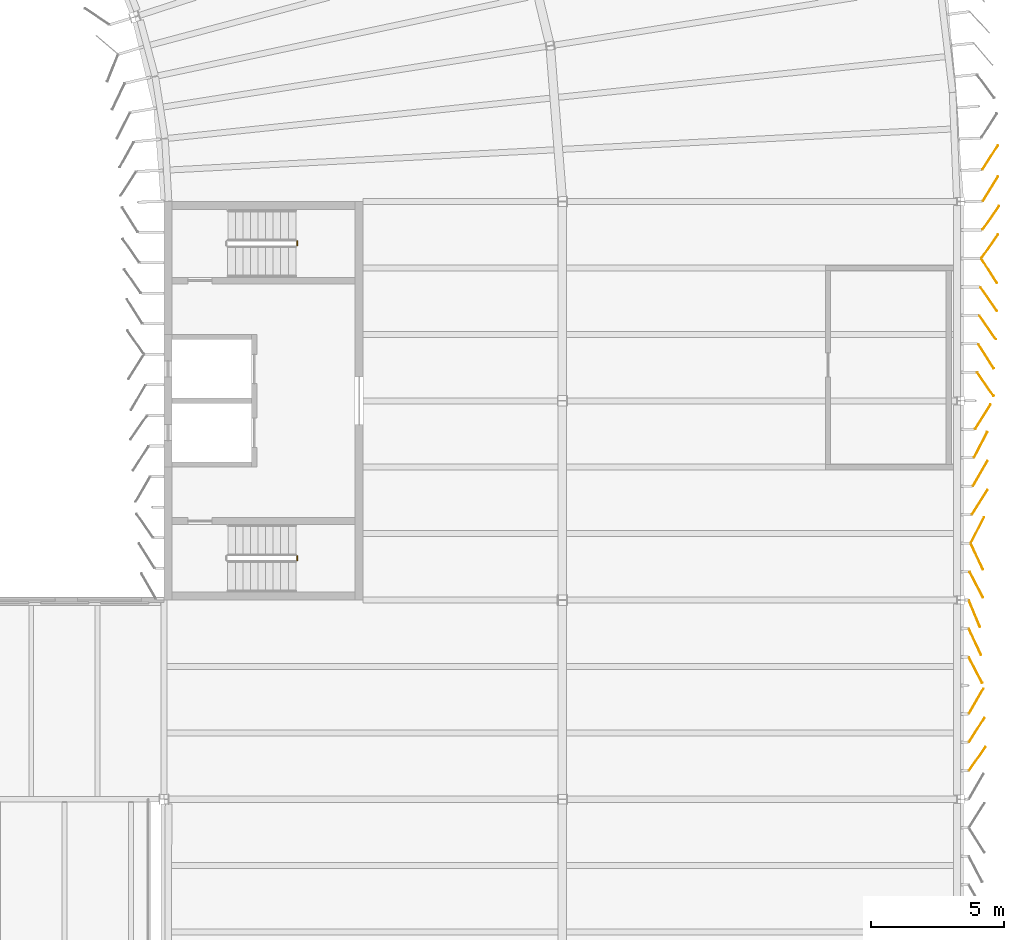
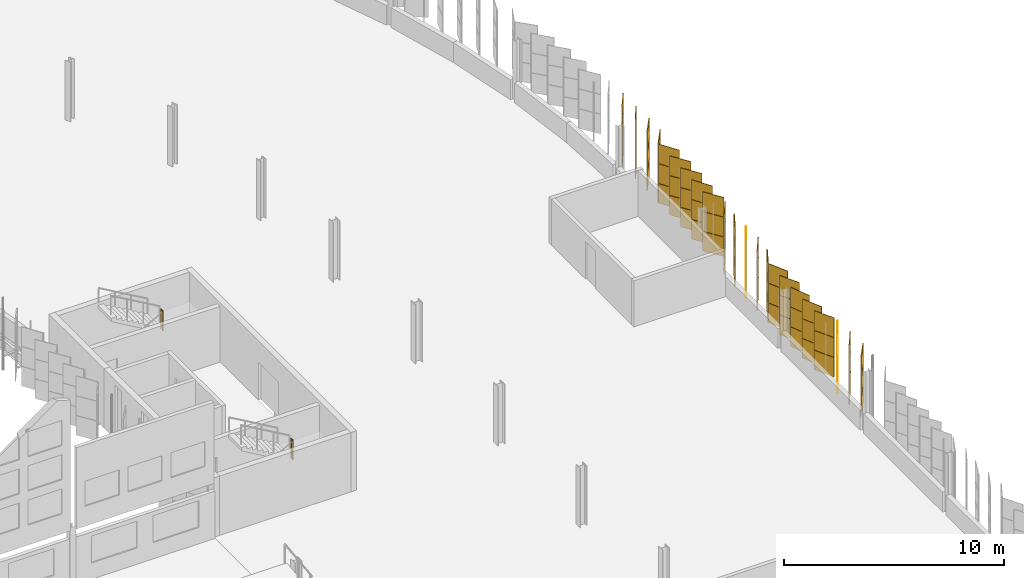
# One storey, part 194 of 199: 66 coverings, 2 railings.
"""IFC4 building model written with IfcOpenShell, lengths in metres."""

import ifcopenshell
import ifcopenshell.guid

model = None  # the IFC model being written
_history = None  # IfcOwnerHistory: only IFC2X3 demands one
_inside = {}  # id of a spatial element -> (the spatial element, [elements in it])
_under = {}  # id of a project, library or spatial element -> (it, [spatial elements below it])
_declared = {}  # id of a project -> (the project, [libraries it declares])
_typed = {}  # id of a type object -> (the type object, [elements of that type])
_made_of = {}  # id of a material, layer set ... -> (it, [elements and type objects made of it])


def new_model(schema):
    """Start an empty IFC model of exactly this schema.

    Asked for "IFC4X3", IfcOpenShell would pick the latest addendum, in which some entities
    have other attributes; the version numbers below select the first issue.
    IFC2X3 requires an IfcOwnerHistory on every rooted entity: one is made here for all.
    """
    global model, _history
    if schema == "IFC4X3":
        model = ifcopenshell.file(schema_version=(4, 3, 0, 0))
    else:
        model = ifcopenshell.file(schema=schema)
    _inside.clear()
    _under.clear()
    _declared.clear()
    _typed.clear()
    _made_of.clear()
    _history = None
    if model.schema == "IFC2X3":
        org = make("IfcOrganization", Name="unknown")
        user = make(
            "IfcPersonAndOrganization",
            ThePerson=make("IfcPerson", FamilyName="unknown"),
            TheOrganization=org,
        )
        app = make(
            "IfcApplication",
            ApplicationDeveloper=org,
            Version="unknown",
            ApplicationFullName="unknown",
            ApplicationIdentifier="unknown",
        )
        _history = make(
            "IfcOwnerHistory",
            OwningUser=user,
            OwningApplication=app,
            ChangeAction="ADDED",
            CreationDate=0,
        )
    return model


def make(cls, **values):
    """One entity of the class cls with the attributes given. An attribute that is None is left unset."""
    return model.create_entity(
        cls, **{name: value for name, value in values.items() if value is not None}
    )


def rooted(cls, **values):
    """An entity with a GlobalId (a new one), such as an element, a storey or a relation."""
    return make(cls, GlobalId=ifcopenshell.guid.new(), OwnerHistory=_history, **values)


def si_unit(unit_type, name, prefix=None):
    """IfcSIUnit, for example si_unit("LENGTHUNIT", "METRE", prefix="MILLI")."""
    return make("IfcSIUnit", UnitType=unit_type, Prefix=prefix, Name=name)


def assignment(units):
    """IfcUnitAssignment: the units of a project."""
    return None if units is None else make("IfcUnitAssignment", Units=units)


def point(xyz):
    """IfcCartesianPoint."""
    return None if xyz is None else make("IfcCartesianPoint", Coordinates=xyz)


def direction(xyz):
    """IfcDirection."""
    return None if xyz is None else make("IfcDirection", DirectionRatios=xyz)


def frame(location, z_axis=None, x_axis=None):
    """IfcAxis2Placement3D, a coordinate frame: its origin and axes. An axis left out is left unset."""
    return make(
        "IfcAxis2Placement3D",
        Location=point(location),
        Axis=direction(z_axis),
        RefDirection=direction(x_axis),
    )


def frame_2d(location, x_axis=None):
    """IfcAxis2Placement2D, a coordinate frame in the plane: its origin and x axis."""
    return make(
        "IfcAxis2Placement2D", Location=point(location), RefDirection=direction(x_axis)
    )


def origin():
    """The frame at (0, 0, 0) with its axes left unset."""
    return frame((0.0, 0.0, 0.0))


def origin_2d():
    """The frame at (0, 0) in the plane with its x axis left unset."""
    return frame_2d((0.0, 0.0))


def place(relative_to, where):
    """IfcLocalPlacement: puts the frame where relative to a parent placement (None: the world)."""
    return make(
        "IfcLocalPlacement", PlacementRelTo=relative_to, RelativePlacement=where
    )


def context(
    kind, dimensions, precision=None, world=None, true_north=None, identifier=None
):
    """IfcGeometricRepresentationContext, for example the 3D "Model" context."""
    return make(
        "IfcGeometricRepresentationContext",
        ContextIdentifier=identifier,
        ContextType=kind,
        CoordinateSpaceDimension=dimensions,
        Precision=precision,
        WorldCoordinateSystem=world,
        TrueNorth=true_north,
    )


def subcontext(parent, identifier, kind, view, scale=None):
    """IfcGeometricRepresentationSubContext, for example "Body" below "Model"."""
    return make(
        "IfcGeometricRepresentationSubContext",
        ContextIdentifier=identifier,
        ContextType=kind,
        ParentContext=parent,
        TargetScale=scale,
        TargetView=view,
    )


def project(units=None, contexts=None):
    """IfcProject with its units and contexts."""
    return rooted(
        "IfcProject",
        Name="project",
        RepresentationContexts=contexts,
        UnitsInContext=assignment(units),
    )


def spatial(cls, under=None, at=None, **own):
    """A site, building, storey or space (cls), placed at a placement, below another one or the project."""
    s = rooted(cls, ObjectPlacement=at, **own)
    if under is not None:
        _under.setdefault(under.id(), (under, []))[1].append(s)
    return s


def profile(cls, at=None, kind="AREA", **sizes):
    """A parametric profile (cls). Its sizes go by their IFC names, for example OverallWidth=200.0."""
    return make(cls, ProfileType=kind, Position=at, **sizes)


def rectangle(**sizes):
    """IfcRectangleProfileDef."""
    return profile("IfcRectangleProfileDef", **sizes)


def circle(**sizes):
    """IfcCircleProfileDef."""
    return profile("IfcCircleProfileDef", **sizes)


def extrude(swept, where, along, depth):
    """IfcExtrudedAreaSolid: the profile swept, set in the frame where, extruded along a direction by depth."""
    return make(
        "IfcExtrudedAreaSolid",
        SweptArea=swept,
        Position=where,
        ExtrudedDirection=direction(along),
        Depth=depth,
    )


def shape(context_of_items, identifier, shape_type, items):
    """IfcShapeRepresentation: the items that make up one representation, for example the "Body"."""
    return make(
        "IfcShapeRepresentation",
        ContextOfItems=context_of_items,
        RepresentationIdentifier=identifier,
        RepresentationType=shape_type,
        Items=items,
    )


def material(Name=None, Category=None):
    """IfcMaterial."""
    return make("IfcMaterial", Name=Name, Category=Category)


def layer(
    of_material, thickness, ventilated=None, Name=None, Category=None, Priority=None
):
    """IfcMaterialLayer: one layer of a wall or slab, of a material (None: an air gap)."""
    return make(
        "IfcMaterialLayer",
        Material=of_material,
        LayerThickness=thickness,
        IsVentilated=ventilated,
        Name=Name,
        Category=Category,
        Priority=Priority,
    )


def layer_set(layers, Name=None):
    """IfcMaterialLayerSet."""
    return make("IfcMaterialLayerSet", MaterialLayers=layers, LayerSetName=Name)


def made_of(thing, what):
    """Note that an element or type object is made of a material, layer set ...; save() writes the relation."""
    if what is not None:
        _made_of.setdefault(what.id(), (what, []))[1].append(thing)
    return thing


def type_object(cls, material=None, **own):
    """A type object (cls), such as IfcWallType, which elements share."""
    return made_of(rooted(cls, **own), material)


def element(
    cls,
    number,
    at=None,
    inside=None,
    cuts=None,
    type_object=None,
    material=None,
    context=None,
    identifier="Body",
    shape_type=None,
    held_by="IfcProductDefinitionShape",
    body=None,
    shapes=None,
    **own,
):
    """One element of the class cls, such as IfcWall. Its Tag is "e" and its number.

    at: its placement. inside: the storey or other place that contains it. cuts: it is an
    opening in that element (IfcRelVoidsElement). A single representation is given by context,
    identifier, shape_type and body (its items); several are given by shapes. held_by: the class
    of the entity that holds the representations. save() writes the other relations.
    """
    e = rooted(cls, Tag="e%d" % number, ObjectPlacement=at, **own)
    if body is not None:
        shapes = [shape(context, identifier, shape_type, body)]
    if shapes is not None:
        e.Representation = make(held_by, Representations=shapes)
    if inside is not None:
        _inside.setdefault(inside.id(), (inside, []))[1].append(e)
    if cuts is not None:
        rooted(
            "IfcRelVoidsElement", RelatingBuildingElement=cuts, RelatedOpeningElement=e
        )
    if type_object is not None:
        _typed.setdefault(type_object.id(), (type_object, []))[1].append(e)
    return made_of(e, material)


def aggregate(whole, parts):
    """IfcRelAggregates: a whole, such as a stair, and the parts it consists of."""
    return rooted("IfcRelAggregates", RelatingObject=whole, RelatedObjects=parts)


def save(model, path):
    """Write the relations noted so far, then the file.

    IfcRelAggregates (storeys below a building ...), IfcRelContainedInSpatialStructure (elements
    in a storey), IfcRelDefinesByType, IfcRelAssociatesMaterial and IfcRelDeclares: one each for
    every whole, place, type object, material and project.
    """
    for whole, parts in _under.values():
        aggregate(whole, parts)
    for where, things in _inside.values():
        rooted(
            "IfcRelContainedInSpatialStructure",
            RelatedElements=things,
            RelatingStructure=where,
        )
    for kind, things in _typed.values():
        rooted("IfcRelDefinesByType", RelatedObjects=things, RelatingType=kind)
    for what, things in _made_of.values():
        rooted("IfcRelAssociatesMaterial", RelatedObjects=things, RelatingMaterial=what)
    for by, libraries in _declared.values():
        rooted("IfcRelDeclares", RelatingContext=by, RelatedDefinitions=libraries)
    model.write(path)


model = new_model("IFC4")

# Units and contexts
model_context = context("Model", 3, precision=1e-05, world=origin(), true_north=direction((0.0, 1.0)))
body_context = subcontext(model_context, "Body", "Model", "MODEL_VIEW")
ifc_project = project(units=[si_unit("LENGTHUNIT", "METRE"), si_unit("AREAUNIT", "SQUARE_METRE"), si_unit("VOLUMEUNIT", "CUBIC_METRE"), si_unit("PLANEANGLEUNIT", "RADIAN"), si_unit("MASSUNIT", "GRAM", prefix="KILO")], contexts=[model_context])

# Site, building, storey
site_placement = place(None, origin())
site = spatial("IfcSite", under=ifc_project, at=site_placement, CompositionType="ELEMENT")
building_placement = place(site_placement, origin())
building = spatial("IfcBuilding", under=site, at=building_placement, Name="Parallax Yard Mobility Hub", CompositionType="ELEMENT")
storey_placement = place(building_placement, frame((0.0, 0.0, 9.89990234375)))
storey = spatial("IfcBuildingStorey", under=building, at=storey_placement, Name="L03", CompositionType="ELEMENT", Elevation=9.89990234375)

# Coverings
ifc_material_1 = material(Name="Aluminium panel, champagne finish", Category="aluminium")
ifc_layer_1 = layer(ifc_material_1, 0.030029296875)
ifc_layer_set_1 = layer_set([ifc_layer_1], Name="Skin panel 22.5 degree turn, champagne finish")
covering_type_1 = type_object("IfcCoveringType", Name="Skin panel 22.5 degree turn, champagne finish", PredefinedType="CLADDING", material=ifc_layer_set_1)
covering_placement = place(storey_placement, frame((225.512939453125, 74.484130859375, 0.02001953125), z_axis=(0.0, 0.0, 1.0), x_axis=(0.382683432365, -0.923879532511, 0.0)))
element("IfcCovering", 1, at=covering_placement, inside=storey, type_object=covering_type_1, Name="Skin panel 22.5 bay 38.7 row 1 level L03", ObjectType="SCREEN", PredefinedType="CLADDING", context=body_context, shape_type="SweptSolid", body=[
    extrude(rectangle(XDim=1.080078125, YDim=0.030029296875, at=origin_2d()), origin(), (0.0, 0.0, 1.0), 1.080078125),
])
ifc_material_2 = material(Name="Aluminium panel, silver anodised", Category="aluminium")
ifc_layer_2 = layer(ifc_material_2, 0.030029296875)
ifc_layer_set_2 = layer_set([ifc_layer_2], Name="Skin panel 22.5 degree turn, silver anodised")
covering_type_2 = type_object("IfcCoveringType", Name="Skin panel 22.5 degree turn, silver anodised", PredefinedType="CLADDING", material=ifc_layer_set_2)
for number, where, z_axis, x_axis, name in (
    (2, (225.512939453125, 74.484130859375, 1.1201171875), (0.0, 0.0, 1.0), (0.382683432365, -0.923879532511, 0.0), "Skin panel 22.5 bay 38.7 row 2 level L03"),
    (3, (225.512939453125, 74.484130859375, 2.219970703125), (0.0, 0.0, 1.0), (0.382683432365, -0.923879532511, 0.0), "Skin panel 22.5 bay 38.7 row 3 level L03"),
):
    element("IfcCovering", number, at=place(storey_placement, frame(where, z_axis=z_axis, x_axis=x_axis)), inside=storey, type_object=covering_type_2, Name=name, ObjectType="SCREEN", PredefinedType="CLADDING", context=body_context, shape_type="SweptSolid", body=[
        extrude(rectangle(XDim=1.080078125, YDim=0.030029296875, at=origin_2d()), origin(), (0.0, 0.0, 1.0), 1.080078125),
    ])
ifc_layer_3 = layer(ifc_material_1, 0.030029296875)
ifc_layer_set_3 = layer_set([ifc_layer_3], Name="Skin panel 25 degree turn, champagne finish")
covering_type_3 = type_object("IfcCoveringType", Name="Skin panel 25 degree turn, champagne finish", PredefinedType="CLADDING", material=ifc_layer_set_3)
for number, where, z_axis, x_axis, name in (
    (4, (225.53515625, 73.422119140625, 0.02001953125), (0.0, 0.0, 1.0), (0.422618261741, -0.906307787037, 0.0), "Skin panel 25 bay 38.6 row 1 level L03"),
    (5, (225.60595703125, 76.637451171875, 0.02001953125), (0.0, 0.0, 1.0), (0.422618261741, -0.906307787037, 0.0), "Skin panel 25 bay 39.2 row 1 level L03"),
):
    element("IfcCovering", number, at=place(storey_placement, frame(where, z_axis=z_axis, x_axis=x_axis)), inside=storey, type_object=covering_type_3, Name=name, ObjectType="SCREEN", PredefinedType="CLADDING", context=body_context, shape_type="SweptSolid", body=[
        extrude(rectangle(XDim=1.080078125, YDim=0.030029296875, at=origin_2d()), origin(), (0.0, 0.0, 1.0), 1.080078125),
    ])
ifc_layer_4 = layer(ifc_material_2, 0.030029296875)
ifc_layer_set_4 = layer_set([ifc_layer_4], Name="Skin panel 25 degree turn, silver anodised")
covering_type_4 = type_object("IfcCoveringType", Name="Skin panel 25 degree turn, silver anodised", PredefinedType="CLADDING", material=ifc_layer_set_4)
for number, where, z_axis, x_axis, name in (
    (6, (225.53515625, 73.422119140625, 1.1201171875), (0.0, 0.0, 1.0), (0.422618261741, -0.906307787037, 0.0), "Skin panel 25 bay 38.6 row 2 level L03"),
    (7, (225.53515625, 73.422119140625, 2.219970703125), (0.0, 0.0, 1.0), (0.422618261741, -0.906307787037, 0.0), "Skin panel 25 bay 38.6 row 3 level L03"),
    (8, (225.60595703125, 76.637451171875, 1.1201171875), (0.0, 0.0, 1.0), (0.422618261741, -0.906307787037, 0.0), "Skin panel 25 bay 39.2 row 2 level L03"),
    (9, (225.60595703125, 76.637451171875, 2.219970703125), (0.0, 0.0, 1.0), (0.422618261741, -0.906307787037, 0.0), "Skin panel 25 bay 39.2 row 3 level L03"),
):
    element("IfcCovering", number, at=place(storey_placement, frame(where, z_axis=z_axis, x_axis=x_axis)), inside=storey, type_object=covering_type_4, Name=name, ObjectType="SCREEN", PredefinedType="CLADDING", context=body_context, shape_type="SweptSolid", body=[
        extrude(rectangle(XDim=1.080078125, YDim=0.030029296875, at=origin_2d()), origin(), (0.0, 0.0, 1.0), 1.080078125),
    ])
ifc_layer_5 = layer(ifc_material_1, 0.030029296875)
ifc_layer_set_5 = layer_set([ifc_layer_5], Name="Skin panel 27.5 degree turn, champagne finish")
covering_type_5 = type_object("IfcCoveringType", Name="Skin panel 27.5 degree turn, champagne finish", PredefinedType="CLADDING", material=ifc_layer_set_5)
for number, where, z_axis, x_axis, name in (
    (10, (225.556884765625, 72.361328125, 0.02001953125), (0.0, 0.0, 1.0), (0.461748613235, -0.887010833178, 0.0), "Skin panel 27.5 bay 38.5 row 1 level L03"),
    (11, (225.587646484375, 75.576416015625, 0.02001953125), (0.0, 0.0, 1.0), (0.461748613235, -0.887010833178, 0.0), "Skin panel 27.5 bay 39.1 row 1 level L03"),
    (12, (225.627685546875, 77.635009765625, 0.02001953125), (0.0, 0.0, 1.0), (0.461748613235, 0.887010833178, 0.0), "Skin panel 27.5 bay 39.3 row 1 level L03"),
    (13, (225.748046875, 80.850341796875, 0.02001953125), (0.0, 0.0, 1.0), (0.461748613235, 0.887010833178, 0.0), "Skin panel 27.5 bay 39.6 row 1 level L03"),
):
    element("IfcCovering", number, at=place(storey_placement, frame(where, z_axis=z_axis, x_axis=x_axis)), inside=storey, type_object=covering_type_5, Name=name, ObjectType="SCREEN", PredefinedType="CLADDING", context=body_context, shape_type="SweptSolid", body=[
        extrude(rectangle(XDim=1.080078125, YDim=0.030029296875, at=origin_2d()), origin(), (0.0, 0.0, 1.0), 1.080078125),
    ])
ifc_layer_6 = layer(ifc_material_2, 0.030029296875)
ifc_layer_set_6 = layer_set([ifc_layer_6], Name="Skin panel 27.5 degree turn, silver anodised")
covering_type_6 = type_object("IfcCoveringType", Name="Skin panel 27.5 degree turn, silver anodised", PredefinedType="CLADDING", material=ifc_layer_set_6)
for number, where, z_axis, x_axis, name in (
    (14, (225.556884765625, 72.361328125, 1.1201171875), (0.0, 0.0, 1.0), (0.461748613235, -0.887010833178, 0.0), "Skin panel 27.5 bay 38.5 row 2 level L03"),
    (15, (225.556884765625, 72.361328125, 2.219970703125), (0.0, 0.0, 1.0), (0.461748613235, -0.887010833178, 0.0), "Skin panel 27.5 bay 38.5 row 3 level L03"),
    (16, (225.587646484375, 75.576416015625, 1.1201171875), (0.0, 0.0, 1.0), (0.461748613235, -0.887010833178, 0.0), "Skin panel 27.5 bay 39.1 row 2 level L03"),
    (17, (225.587646484375, 75.576416015625, 2.219970703125), (0.0, 0.0, 1.0), (0.461748613235, -0.887010833178, 0.0), "Skin panel 27.5 bay 39.1 row 3 level L03"),
    (18, (225.627685546875, 77.635009765625, 1.1201171875), (0.0, 0.0, 1.0), (0.461748613235, 0.887010833178, 0.0), "Skin panel 27.5 bay 39.3 row 2 level L03"),
    (19, (225.627685546875, 77.635009765625, 2.219970703125), (0.0, 0.0, 1.0), (0.461748613235, 0.887010833178, 0.0), "Skin panel 27.5 bay 39.3 row 3 level L03"),
    (20, (225.748046875, 80.850341796875, 1.1201171875), (0.0, 0.0, 1.0), (0.461748613235, 0.887010833178, 0.0), "Skin panel 27.5 bay 39.6 row 2 level L03"),
    (21, (225.748046875, 80.850341796875, 2.219970703125), (0.0, 0.0, 1.0), (0.461748613235, 0.887010833178, 0.0), "Skin panel 27.5 bay 39.6 row 3 level L03"),
):
    element("IfcCovering", number, at=place(storey_placement, frame(where, z_axis=z_axis, x_axis=x_axis)), inside=storey, type_object=covering_type_6, Name=name, ObjectType="SCREEN", PredefinedType="CLADDING", context=body_context, shape_type="SweptSolid", body=[
        extrude(rectangle(XDim=1.080078125, YDim=0.030029296875, at=origin_2d()), origin(), (0.0, 0.0, 1.0), 1.080078125),
    ])
ifc_layer_7 = layer(ifc_material_1, 0.030029296875)
ifc_layer_set_7 = layer_set([ifc_layer_7], Name="Skin panel 30 degree turn, champagne finish")
covering_type_7 = type_object("IfcCoveringType", Name="Skin panel 30 degree turn, champagne finish", PredefinedType="CLADDING", material=ifc_layer_set_7)
for number, where, z_axis, x_axis, name in (
    (22, (225.578125, 71.193115234375, 0.02001953125), (0.0, 0.0, 1.0), (0.5, 0.866025403784, 0.0), "Skin panel 30 bay 38.4 row 1 level L03"),
    (23, (225.729248046875, 79.766845703125, 0.02001953125), (0.0, 0.0, 1.0), (0.5, 0.866025403784, 0.0), "Skin panel 30 bay 39.5 row 1 level L03"),
):
    element("IfcCovering", number, at=place(storey_placement, frame(where, z_axis=z_axis, x_axis=x_axis)), inside=storey, type_object=covering_type_7, Name=name, ObjectType="SCREEN", PredefinedType="CLADDING", context=body_context, shape_type="SweptSolid", body=[
        extrude(rectangle(XDim=1.080078125, YDim=0.030029296875, at=origin_2d()), origin(), (0.0, 0.0, 1.0), 1.080078125),
    ])
ifc_layer_8 = layer(ifc_material_2, 0.030029296875)
ifc_layer_set_8 = layer_set([ifc_layer_8], Name="Skin panel 30 degree turn, silver anodised")
covering_type_8 = type_object("IfcCoveringType", Name="Skin panel 30 degree turn, silver anodised", PredefinedType="CLADDING", material=ifc_layer_set_8)
for number, where, z_axis, x_axis, name in (
    (24, (225.578125, 71.193115234375, 1.1201171875), (0.0, 0.0, 1.0), (0.5, 0.866025403784, 0.0), "Skin panel 30 bay 38.4 row 2 level L03"),
    (25, (225.578125, 71.193115234375, 2.219970703125), (0.0, 0.0, 1.0), (0.5, 0.866025403784, 0.0), "Skin panel 30 bay 38.4 row 3 level L03"),
    (26, (225.729248046875, 79.766845703125, 1.1201171875), (0.0, 0.0, 1.0), (0.5, 0.866025403784, 0.0), "Skin panel 30 bay 39.5 row 2 level L03"),
    (27, (225.729248046875, 79.766845703125, 2.219970703125), (0.0, 0.0, 1.0), (0.5, 0.866025403784, 0.0), "Skin panel 30 bay 39.5 row 3 level L03"),
):
    element("IfcCovering", number, at=place(storey_placement, frame(where, z_axis=z_axis, x_axis=x_axis)), inside=storey, type_object=covering_type_8, Name=name, ObjectType="SCREEN", PredefinedType="CLADDING", context=body_context, shape_type="SweptSolid", body=[
        extrude(rectangle(XDim=1.080078125, YDim=0.030029296875, at=origin_2d()), origin(), (0.0, 0.0, 1.0), 1.080078125),
    ])
ifc_layer_9 = layer(ifc_material_1, 0.030029296875)
ifc_layer_set_9 = layer_set([ifc_layer_9], Name="Skin panel 32.5 degree turn, champagne finish")
covering_type_9 = type_object("IfcCoveringType", Name="Skin panel 32.5 degree turn, champagne finish", PredefinedType="CLADDING", material=ifc_layer_set_9)
for number, where, z_axis, x_axis, name in (
    (28, (225.598876953125, 70.10888671875, 0.02001953125), (0.0, 0.0, 1.0), (0.537299608347, 0.843391445813, 0.0), "Skin panel 32.5 bay 38.3 row 1 level L03"),
    (29, (225.709716796875, 78.6826171875, 0.02001953125), (0.0, 0.0, 1.0), (0.537299608347, 0.843391445813, 0.0), "Skin panel 32.5 bay 39.4 row 1 level L03"),
    (30, (225.830078125, 81.897705078125, 0.02001953125), (0.0, 0.0, 1.0), (0.537299608347, 0.843391445813, 0.0), "Skin panel 32.5 bay 39.7 row 1 level L03"),
    (31, (225.950439453125, 84.174560546875, 0.02001953125), (0.0, 0.0, 1.0), (0.537299608347, -0.843391445813, 0.0), "Skin panel 32.5 bay 40.2 row 1 level L03"),
    (32, (226.070556640625, 87.3896484375, 0.02001953125), (0.0, 0.0, 1.0), (0.537299608347, -0.843391445813, 0.0), "Skin panel 32.5 bay 40.5 row 1 level L03"),
    (33, (226.115966796875, 90.4833984375, 0.02001953125), (0.0, 0.0, 1.0), (0.525201364482, 0.850977982527, 0.0), "Skin panel 32.5 bay 41.1 row 1 level L03"),
):
    element("IfcCovering", number, at=place(storey_placement, frame(where, z_axis=z_axis, x_axis=x_axis)), inside=storey, type_object=covering_type_9, Name=name, ObjectType="SCREEN", PredefinedType="CLADDING", context=body_context, shape_type="SweptSolid", body=[
        extrude(rectangle(XDim=1.080078125, YDim=0.030029296875, at=origin_2d()), origin(), (0.0, 0.0, 1.0), 1.080078125),
    ])
ifc_layer_10 = layer(ifc_material_2, 0.030029296875)
ifc_layer_set_10 = layer_set([ifc_layer_10], Name="Skin panel 32.5 degree turn, silver anodised")
covering_type_10 = type_object("IfcCoveringType", Name="Skin panel 32.5 degree turn, silver anodised", PredefinedType="CLADDING", material=ifc_layer_set_10)
for number, where, z_axis, x_axis, name in (
    (34, (225.598876953125, 70.10888671875, 1.1201171875), (0.0, 0.0, 1.0), (0.537299608347, 0.843391445813, 0.0), "Skin panel 32.5 bay 38.3 row 2 level L03"),
    (35, (225.598876953125, 70.10888671875, 2.219970703125), (0.0, 0.0, 1.0), (0.537299608347, 0.843391445813, 0.0), "Skin panel 32.5 bay 38.3 row 3 level L03"),
    (36, (225.709716796875, 78.6826171875, 1.1201171875), (0.0, 0.0, 1.0), (0.537299608347, 0.843391445813, 0.0), "Skin panel 32.5 bay 39.4 row 2 level L03"),
    (37, (225.709716796875, 78.6826171875, 2.219970703125), (0.0, 0.0, 1.0), (0.537299608347, 0.843391445813, 0.0), "Skin panel 32.5 bay 39.4 row 3 level L03"),
    (38, (225.830078125, 81.897705078125, 1.1201171875), (0.0, 0.0, 1.0), (0.537299608347, 0.843391445813, 0.0), "Skin panel 32.5 bay 39.7 row 2 level L03"),
    (39, (225.830078125, 81.897705078125, 2.219970703125), (0.0, 0.0, 1.0), (0.537299608347, 0.843391445813, 0.0), "Skin panel 32.5 bay 39.7 row 3 level L03"),
    (40, (225.950439453125, 84.174560546875, 1.1201171875), (0.0, 0.0, 1.0), (0.537299608347, -0.843391445813, 0.0), "Skin panel 32.5 bay 40.2 row 2 level L03"),
    (41, (225.950439453125, 84.174560546875, 2.219970703125), (0.0, 0.0, 1.0), (0.537299608347, -0.843391445813, 0.0), "Skin panel 32.5 bay 40.2 row 3 level L03"),
    (42, (226.070556640625, 87.3896484375, 1.1201171875), (0.0, 0.0, 1.0), (0.537299608347, -0.843391445813, 0.0), "Skin panel 32.5 bay 40.5 row 2 level L03"),
    (43, (226.070556640625, 87.3896484375, 2.219970703125), (0.0, 0.0, 1.0), (0.537299608347, -0.843391445813, 0.0), "Skin panel 32.5 bay 40.5 row 3 level L03"),
    (44, (226.115966796875, 90.4833984375, 1.1201171875), (0.0, 0.0, 1.0), (0.525201364482, 0.850977982527, 0.0), "Skin panel 32.5 bay 41.1 row 2 level L03"),
    (45, (226.115966796875, 90.4833984375, 2.219970703125), (0.0, 0.0, 1.0), (0.525201364482, 0.850977982527, 0.0), "Skin panel 32.5 bay 41.1 row 3 level L03"),
):
    element("IfcCovering", number, at=place(storey_placement, frame(where, z_axis=z_axis, x_axis=x_axis)), inside=storey, type_object=covering_type_10, Name=name, ObjectType="SCREEN", PredefinedType="CLADDING", context=body_context, shape_type="SweptSolid", body=[
        extrude(rectangle(XDim=1.080078125, YDim=0.030029296875, at=origin_2d()), origin(), (0.0, 0.0, 1.0), 1.080078125),
    ])
ifc_layer_11 = layer(ifc_material_1, 0.030029296875)
ifc_layer_set_11 = layer_set([ifc_layer_11], Name="Skin panel 35 degree turn, champagne finish")
covering_type_11 = type_object("IfcCoveringType", Name="Skin panel 35 degree turn, champagne finish", PredefinedType="CLADDING", material=ifc_layer_set_11)
for number, where, z_axis, x_axis, name in (
    (46, (225.619140625, 69.023681640625, 0.02001953125), (0.0, 0.0, 1.0), (0.573576436351, 0.819152044289, 0.0), "Skin panel 35 bay 38.2 row 1 level L03"),
    (47, (225.930419921875, 83.1162109375, 0.02001953125), (0.0, 0.0, 1.0), (0.573576436351, -0.819152044289, 0.0), "Skin panel 35 bay 40.1 row 1 level L03"),
    (48, (226.0107421875, 85.259765625, 0.02001953125), (0.0, 0.0, 1.0), (0.573576436351, -0.819152044289, 0.0), "Skin panel 35 bay 40.3 row 1 level L03"),
    (49, (226.05078125, 86.33154296875, 0.02001953125), (0.0, 0.0, 1.0), (0.573576436351, -0.819152044289, 0.0), "Skin panel 35 bay 40.4 row 1 level L03"),
    (50, (226.0908203125, 88.314697265625, 0.02001953125), (0.0, 0.0, 1.0), (0.573576436351, 0.819152044289, 0.0), "Skin panel 35 bay 40.6 row 1 level L03"),
    (51, (226.130859375, 89.386474609375, 0.02001953125), (0.0, 0.0, 1.0), (0.573576436351, 0.819152044289, 0.0), "Skin panel 35 bay 40.7 row 1 level L03"),
    (52, (226.106201171875, 91.6630859375, 0.02001953125), (0.0, 0.0, 1.0), (0.537969196928, 0.842964496973, 0.0), "Skin panel 35 bay 41.2 row 1 level L03"),
):
    element("IfcCovering", number, at=place(storey_placement, frame(where, z_axis=z_axis, x_axis=x_axis)), inside=storey, type_object=covering_type_11, Name=name, ObjectType="SCREEN", PredefinedType="CLADDING", context=body_context, shape_type="SweptSolid", body=[
        extrude(rectangle(XDim=1.080078125, YDim=0.030029296875, at=origin_2d()), origin(), (0.0, 0.0, 1.0), 1.080078125),
    ])
ifc_layer_12 = layer(ifc_material_2, 0.030029296875)
ifc_layer_set_12 = layer_set([ifc_layer_12], Name="Skin panel 35 degree turn, silver anodised")
covering_type_12 = type_object("IfcCoveringType", Name="Skin panel 35 degree turn, silver anodised", PredefinedType="CLADDING", material=ifc_layer_set_12)
for number, where, z_axis, x_axis, name in (
    (53, (225.619140625, 69.023681640625, 1.1201171875), (0.0, 0.0, 1.0), (0.573576436351, 0.819152044289, 0.0), "Skin panel 35 bay 38.2 row 2 level L03"),
    (54, (225.619140625, 69.023681640625, 2.219970703125), (0.0, 0.0, 1.0), (0.573576436351, 0.819152044289, 0.0), "Skin panel 35 bay 38.2 row 3 level L03"),
    (55, (225.930419921875, 83.1162109375, 1.1201171875), (0.0, 0.0, 1.0), (0.573576436351, -0.819152044289, 0.0), "Skin panel 35 bay 40.1 row 2 level L03"),
    (56, (225.930419921875, 83.1162109375, 2.219970703125), (0.0, 0.0, 1.0), (0.573576436351, -0.819152044289, 0.0), "Skin panel 35 bay 40.1 row 3 level L03"),
    (57, (226.0107421875, 85.259765625, 1.1201171875), (0.0, 0.0, 1.0), (0.573576436351, -0.819152044289, 0.0), "Skin panel 35 bay 40.3 row 2 level L03"),
    (58, (226.0107421875, 85.259765625, 2.219970703125), (0.0, 0.0, 1.0), (0.573576436351, -0.819152044289, 0.0), "Skin panel 35 bay 40.3 row 3 level L03"),
    (59, (226.05078125, 86.33154296875, 1.1201171875), (0.0, 0.0, 1.0), (0.573576436351, -0.819152044289, 0.0), "Skin panel 35 bay 40.4 row 2 level L03"),
    (60, (226.05078125, 86.33154296875, 2.219970703125), (0.0, 0.0, 1.0), (0.573576436351, -0.819152044289, 0.0), "Skin panel 35 bay 40.4 row 3 level L03"),
    (61, (226.0908203125, 88.314697265625, 1.1201171875), (0.0, 0.0, 1.0), (0.573576436351, 0.819152044289, 0.0), "Skin panel 35 bay 40.6 row 2 level L03"),
    (62, (226.0908203125, 88.314697265625, 2.219970703125), (0.0, 0.0, 1.0), (0.573576436351, 0.819152044289, 0.0), "Skin panel 35 bay 40.6 row 3 level L03"),
    (63, (226.130859375, 89.386474609375, 1.1201171875), (0.0, 0.0, 1.0), (0.573576436351, 0.819152044289, 0.0), "Skin panel 35 bay 40.7 row 2 level L03"),
    (64, (226.130859375, 89.386474609375, 2.219970703125), (0.0, 0.0, 1.0), (0.573576436351, 0.819152044289, 0.0), "Skin panel 35 bay 40.7 row 3 level L03"),
    (65, (226.106201171875, 91.6630859375, 1.1201171875), (0.0, 0.0, 1.0), (0.537969196928, 0.842964496973, 0.0), "Skin panel 35 bay 41.2 row 2 level L03"),
    (66, (226.106201171875, 91.6630859375, 2.219970703125), (0.0, 0.0, 1.0), (0.537969196928, 0.842964496973, 0.0), "Skin panel 35 bay 41.2 row 3 level L03"),
):
    element("IfcCovering", number, at=place(storey_placement, frame(where, z_axis=z_axis, x_axis=x_axis)), inside=storey, type_object=covering_type_12, Name=name, ObjectType="SCREEN", PredefinedType="CLADDING", context=body_context, shape_type="SweptSolid", body=[
        extrude(rectangle(XDim=1.080078125, YDim=0.030029296875, at=origin_2d()), origin(), (0.0, 0.0, 1.0), 1.080078125),
    ])

# Railings
ifc_material_3 = material(Name="Steel ASTM A36", Category="steel")
railing_type = type_object("IfcRailingType", Name="Stair guard 1100", PredefinedType="GUARDRAIL", material=ifc_material_3)
for number, where, name in (
    (67, (200.014892578125, 76.5, 1.650146484375), "L03 ST7 stair guard 2"),
    (68, (200.014892578125, 88.35009765625, 1.650146484375), "L03 ST8 stair guard 2"),
):
    element("IfcRailing", number, at=place(storey_placement, frame(where)), inside=storey, type_object=railing_type, Name=name, PredefinedType="GUARDRAIL", context=body_context, shape_type="SweptSolid", body=[
        extrude(circle(Radius=0.02392578125, at=origin_2d()), frame((0.0, 0.0, 1.076171875), z_axis=(0.0, 1.0, 0.0), x_axis=(-1.0, 0.0, 0.0)), (0.0, 0.0, 1.0), 0.14990234375),
        extrude(circle(Radius=0.02099609375, at=origin_2d()), origin(), (0.0, 0.0, 1.0), 1.052001953125),
        extrude(circle(Radius=0.02099609375, at=origin_2d()), frame((0.0, 0.14990234375, 0.0)), (0.0, 0.0, 1.0), 1.052001953125),
    ])

save(model, "model.ifc")
